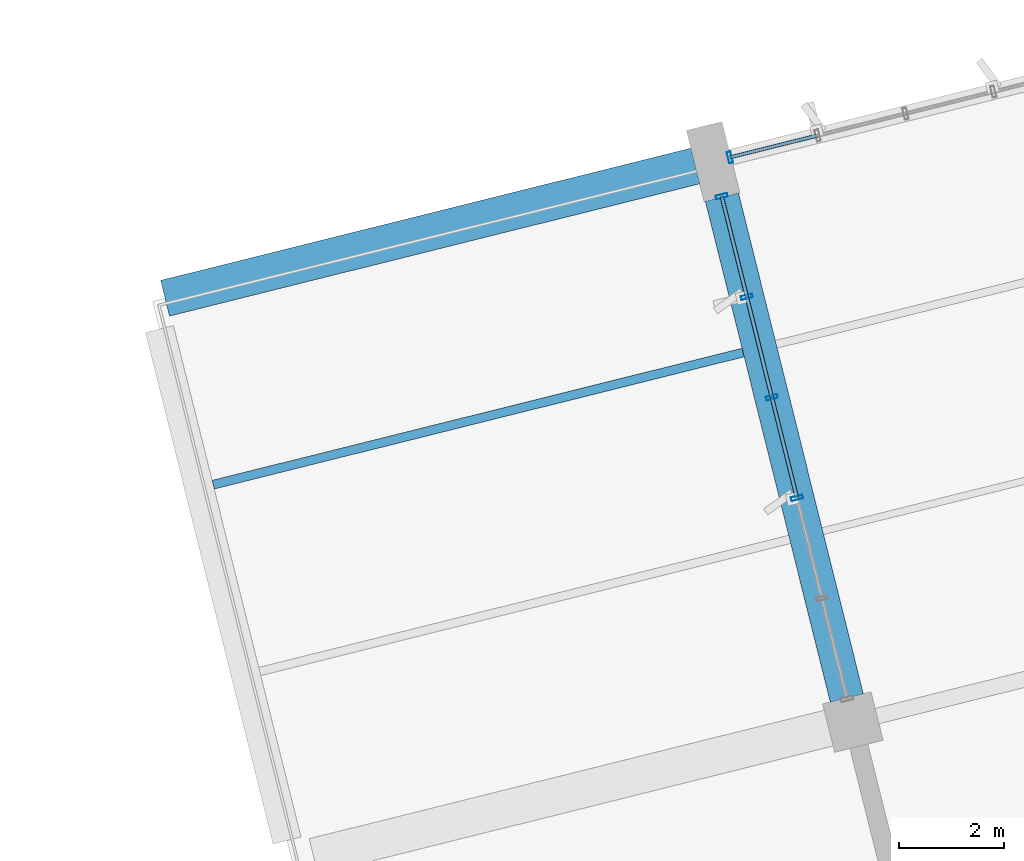
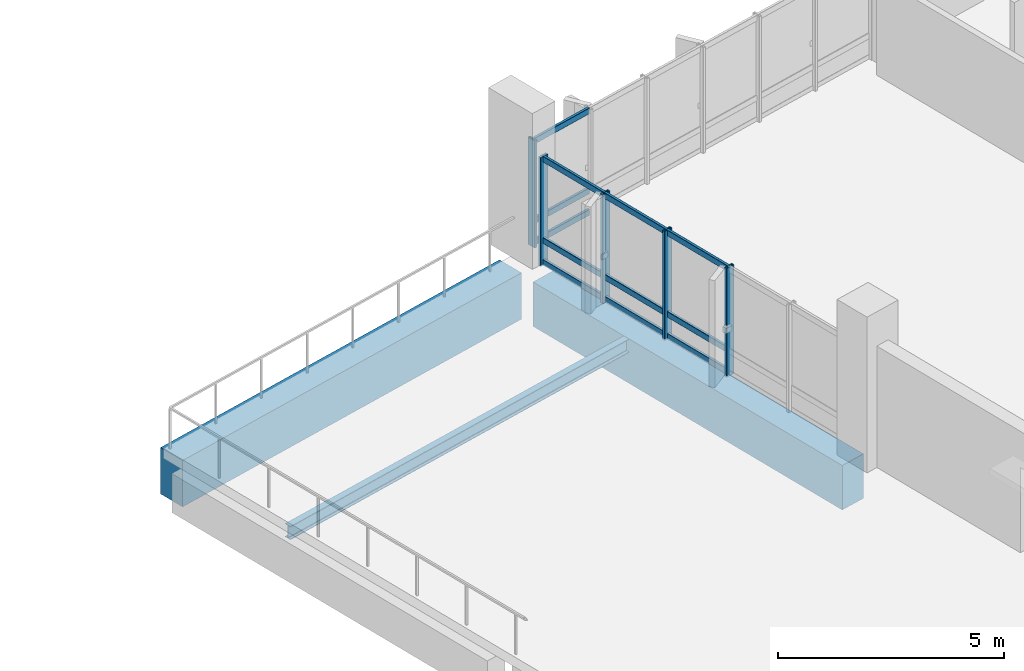
# One storey, part 44 of 75: 17 members, 3 beams, 2 elements without a shape of their own.
"""IFC4 building model written with IfcOpenShell, lengths in metres."""

from ifc_helpers import new_model, si_unit, direction, frame, origin, origin_2d, place, context, subcontext, project, spatial, rectangle, hollow_rectangle, i_section, extrude, material, layer, layer_set, material_profile, profile_set, type_object, element, aggregate, save


model = new_model("IFC4")

# Units and contexts
model_context = context("Model", 3, precision=1e-05, world=origin(), true_north=direction((0.0, 1.0)))
body_context = subcontext(model_context, "Body", "Model", "MODEL_VIEW")
ifc_project = project(units=[si_unit("LENGTHUNIT", "METRE"), si_unit("AREAUNIT", "SQUARE_METRE"), si_unit("VOLUMEUNIT", "CUBIC_METRE"), si_unit("PLANEANGLEUNIT", "RADIAN"), si_unit("MASSUNIT", "GRAM", prefix="KILO")], contexts=[model_context])

# Site, building, storey
site_placement = place(None, origin())
site = spatial("IfcSite", under=ifc_project, at=site_placement, CompositionType="ELEMENT")
building_placement = place(site_placement, origin())
building = spatial("IfcBuilding", under=site, at=building_placement, Name="Khorjan Park Terminus", CompositionType="ELEMENT")
storey_placement = place(building_placement, frame((0.0, 0.0, 16.2)))
storey = spatial("IfcBuildingStorey", under=building, at=storey_placement, Name="L03", CompositionType="ELEMENT", Elevation=16.2)

# Beams
ifc_material_1 = material(Name="Concrete C40/50", Category="concrete")
ifc_material_profile_1 = material_profile(ifc_material_1, rectangle(XDim=0.65, YDim=1.2, at=origin_2d()), Name="RC 650x1200")
ifc_profile_set_1 = profile_set([ifc_material_profile_1], Name="Concrete C40/50")
beam_type_1 = type_object("IfcBeamType", Name="BM-RC650x1200", PredefinedType="BEAM", material=ifc_profile_set_1)
beam_1_placement = place(storey_placement, frame((184.6004, 63.8057, -0.95), z_axis=(-0.241930300515, 0.970293630657, 0.0), x_axis=(-0.970293630657, -0.241930300515, 0.0)))
element("IfcBeam", 1, at=beam_1_placement, inside=storey, type_object=beam_type_1, Name="Primary skew-grid floor girder GB-12 (L03)", PredefinedType="BEAM", context=body_context, shape_type="SweptSolid", body=[
    extrude(rectangle(XDim=0.65, YDim=1.2, at=origin_2d()), origin(), (0.0, 0.0, 1.0), 9.8351),
])
ifc_material_profile_2 = material_profile(ifc_material_1, rectangle(XDim=0.7, YDim=1.25, at=origin_2d()), Name="RC 700x1250")
ifc_profile_set_2 = profile_set([ifc_material_profile_2], Name="Concrete C40/50")
beam_type_2 = type_object("IfcBeamType", Name="BM-RC700x1250", PredefinedType="BEAM", material=ifc_profile_set_2)
beam_2_placement = place(storey_placement, frame((171.6174, 71.4211, -0.895), z_axis=(0.970296003428, 0.241920784001, 0.0), x_axis=(-0.241920784001, 0.970296003428, 0.0)))
element("IfcBeam", 2, at=beam_2_placement, inside=storey, type_object=beam_type_2, Name="Primary skew-grid floor girder GB-125 (L03)", PredefinedType="BEAM", context=body_context, shape_type="SweptSolid", body=[
    extrude(rectangle(XDim=0.7, YDim=1.25, at=origin_2d()), origin(), (0.0, 0.0, 1.0), 10.41),
])
ifc_material_2 = material(Name="Steel S355", Category="steel")
ifc_material_profile_3 = material_profile(ifc_material_2, i_section(OverallWidth=0.17, OverallDepth=0.36, WebThickness=0.008, FlangeThickness=0.0127, FilletRadius=0.018, at=origin_2d()), Name="IPE 360")
ifc_profile_set_3 = profile_set([ifc_material_profile_3], Name="Steel S355")
beam_type_3 = type_object("IfcBeamType", Name="JS-IPE360", PredefinedType="JOIST", material=ifc_profile_set_3)
beam_3_placement = place(storey_placement, frame((172.5335, 67.8705, -0.53), z_axis=(0.970295586552, 0.241922456002, 0.0), x_axis=(-0.241922456002, 0.970295586552, 0.0)))
element("IfcBeam", 3, at=beam_3_placement, inside=storey, type_object=beam_type_3, Name="Secondary composite floor joist SJ-36 (L03)", PredefinedType="JOIST", context=body_context, shape_type="SweptSolid", body=[
    extrude(i_section(OverallWidth=0.17, OverallDepth=0.36, WebThickness=0.008, FlangeThickness=0.0127, FilletRadius=0.018, at=origin_2d()), origin(), (0.0, 0.0, 1.0), 10.4),
])

# Curtain wall, member
ifc_material_3 = material(Name="Anodized Bronze Aluminium", Category="aluminium")
ifc_layer = layer(ifc_material_3, 0.22)
ifc_layer_set = layer_set([ifc_layer], Name="Anodized Bronze Aluminium")
curtain_wall_type = type_object("IfcCurtainWallType", Name="CW-OPS-B", PredefinedType="NOTDEFINED", material=ifc_layer_set)
curtain_wall_1_placement = place(storey_placement, origin())
curtain_wall_1 = element("IfcCurtainWall", 4, at=curtain_wall_1_placement, inside=storey, type_object=curtain_wall_type, Name="Unitized curtain wall CW-B (CW-V5-N-L03-B03)", PredefinedType="NOTDEFINED")
ifc_material_profile_4 = material_profile(ifc_material_3, hollow_rectangle(XDim=0.075, YDim=0.225, WallThickness=0.005, InnerFilletRadius=0.005, OuterFilletRadius=0.01, at=origin_2d()), Name="ALM 75x225x5")
ifc_profile_set_4 = profile_set([ifc_material_profile_4], Name="Anodized Bronze Aluminium")
member_type_1 = type_object("IfcMemberType", Name="ML-ALM-225", PredefinedType="MULLION", material=ifc_profile_set_4)
member_1_placement = place(storey_placement, frame((182.3732, 74.1028, -0.035), z_axis=(0.0, 0.0, 1.0), x_axis=(-0.970295910648, -0.241921156122, 0.0)))
member_1 = element("IfcMember", 5, at=member_1_placement, type_object=member_type_1, Name="Curtain-wall mullion ML-22 (CW-V5-N-L03-B03-6)", PredefinedType="MULLION", context=body_context, shape_type="SweptSolid", body=[
    extrude(hollow_rectangle(XDim=0.075, YDim=0.225, WallThickness=0.005, InnerFilletRadius=0.005, OuterFilletRadius=0.01, at=origin_2d()), origin(), (0.0, 0.0, 1.0), 2.885),
])

# Curtain wall, members
curtain_wall_2_placement = place(storey_placement, origin())
curtain_wall_2 = element("IfcCurtainWall", 6, at=curtain_wall_2_placement, inside=storey, type_object=curtain_wall_type, Name="Unitized curtain wall CW-B (CW-V5-NW1-L03-B01)", PredefinedType="NOTDEFINED")
member_2_placement = place(storey_placement, frame((182.2174, 73.3632, -0.035), z_axis=(0.0, 0.0, 1.0), x_axis=(0.241922578481, -0.970295556014, 0.0)))
member_2 = element("IfcMember", 7, at=member_2_placement, type_object=member_type_1, Name="Curtain-wall mullion ML-22 (CW-V5-NW1-L03-B01-0)", PredefinedType="MULLION", context=body_context, shape_type="SweptSolid", body=[
    extrude(hollow_rectangle(XDim=0.075, YDim=0.225, WallThickness=0.005, InnerFilletRadius=0.005, OuterFilletRadius=0.01, at=origin_2d()), origin(), (0.0, 0.0, 1.0), 2.935),
])
member_3_placement = place(storey_placement, frame((182.6947, 71.4489, -0.035), z_axis=(0.0, 0.0, 1.0), x_axis=(0.241922578481, -0.970295556014, 0.0)))
member_3 = element("IfcMember", 8, at=member_3_placement, type_object=member_type_1, Name="Curtain-wall mullion ML-22 (CW-V5-NW1-L03-B01-1)", PredefinedType="MULLION", context=body_context, shape_type="SweptSolid", body=[
    extrude(hollow_rectangle(XDim=0.075, YDim=0.225, WallThickness=0.005, InnerFilletRadius=0.005, OuterFilletRadius=0.01, at=origin_2d()), origin(), (0.0, 0.0, 1.0), 2.935),
])
member_4_placement = place(storey_placement, frame((183.172, 69.5345, -0.035), z_axis=(0.0, 0.0, 1.0), x_axis=(0.241922578481, -0.970295556014, 0.0)))
member_4 = element("IfcMember", 9, at=member_4_placement, type_object=member_type_1, Name="Curtain-wall mullion ML-22 (CW-V5-NW1-L03-B01-2)", PredefinedType="MULLION", context=body_context, shape_type="SweptSolid", body=[
    extrude(hollow_rectangle(XDim=0.075, YDim=0.225, WallThickness=0.005, InnerFilletRadius=0.005, OuterFilletRadius=0.01, at=origin_2d()), origin(), (0.0, 0.0, 1.0), 2.935),
])
member_5_placement = place(storey_placement, frame((183.6493, 67.6202, -0.035), z_axis=(0.0, 0.0, 1.0), x_axis=(0.241922578481, -0.970295556014, 0.0)))
member_5 = element("IfcMember", 10, at=member_5_placement, type_object=member_type_1, Name="Curtain-wall mullion ML-22 (CW-V5-NW1-L03-B01-3)", PredefinedType="MULLION", context=body_context, shape_type="SweptSolid", body=[
    extrude(hollow_rectangle(XDim=0.075, YDim=0.225, WallThickness=0.005, InnerFilletRadius=0.005, OuterFilletRadius=0.01, at=origin_2d()), origin(), (0.0, 0.0, 1.0), 2.935),
])

# Member
ifc_material_profile_5 = material_profile(ifc_material_3, hollow_rectangle(XDim=0.07, YDim=0.16, WallThickness=0.004, InnerFilletRadius=0.004, OuterFilletRadius=0.008, at=origin_2d()), Name="ALT 70x160x4")
ifc_profile_set_5 = profile_set([ifc_material_profile_5], Name="Anodized Bronze Aluminium")
member_type_2 = type_object("IfcMemberType", Name="TR-ALT-160", PredefinedType="USERDEFINED", material=ifc_profile_set_5)
member_6_placement = place(storey_placement, frame((184.0453, 74.5197, 0.04), z_axis=(-0.970295910649, -0.241921156121, 0.0), x_axis=(0.241921156121, -0.970295910649, 0.0)))
member_6 = element("IfcMember", 11, at=member_6_placement, type_object=member_type_2, Name="Curtain-wall transom TR-16 (CW-V5-N-L03-B03-5-1)", ObjectType="TRANSOM", PredefinedType="USERDEFINED", context=body_context, shape_type="SweptSolid", body=[
    extrude(hollow_rectangle(XDim=0.07, YDim=0.16, WallThickness=0.004, InnerFilletRadius=0.004, OuterFilletRadius=0.008, at=origin_2d()), origin(), (0.0, 0.0, 1.0), 1.7233),
])

member_7_placement = place(storey_placement, frame((184.0453, 74.5197, 0.619), z_axis=(-0.970295910649, -0.241921156121, 0.0), x_axis=(0.241921156121, -0.970295910649, 0.0)))
member_7 = element("IfcMember", 12, at=member_7_placement, type_object=member_type_2, Name="Curtain-wall transom TR-16 (CW-V5-N-L03-B03-5-2)", ObjectType="TRANSOM", PredefinedType="USERDEFINED", context=body_context, shape_type="SweptSolid", body=[
    extrude(hollow_rectangle(XDim=0.07, YDim=0.16, WallThickness=0.004, InnerFilletRadius=0.004, OuterFilletRadius=0.008, at=origin_2d()), origin(), (0.0, 0.0, 1.0), 1.7233),
])

member_8_placement = place(storey_placement, frame((184.0453, 74.5197, 2.775), z_axis=(-0.970295910649, -0.241921156121, 0.0), x_axis=(0.241921156121, -0.970295910649, 0.0)))
member_8 = element("IfcMember", 13, at=member_8_placement, type_object=member_type_2, Name="Curtain-wall transom TR-16 (CW-V5-N-L03-B03-5-3)", ObjectType="TRANSOM", PredefinedType="USERDEFINED", context=body_context, shape_type="SweptSolid", body=[
    extrude(hollow_rectangle(XDim=0.07, YDim=0.16, WallThickness=0.004, InnerFilletRadius=0.004, OuterFilletRadius=0.008, at=origin_2d()), origin(), (0.0, 0.0, 1.0), 1.7233),
])

aggregate(curtain_wall_1, [member_1, member_6, member_7, member_8])

member_9_placement = place(storey_placement, frame((182.2174, 73.3632, 0.04), z_axis=(0.241927337676, -0.970294369398, 0.0), x_axis=(0.970294369398, 0.241927337676, 0.0)))
member_9 = element("IfcMember", 14, at=member_9_placement, type_object=member_type_2, Name="Curtain-wall transom TR-16 (CW-V5-NW1-L03-B01-0-1)", ObjectType="TRANSOM", PredefinedType="USERDEFINED", context=body_context, shape_type="SweptSolid", body=[
    extrude(hollow_rectangle(XDim=0.07, YDim=0.16, WallThickness=0.004, InnerFilletRadius=0.004, OuterFilletRadius=0.008, at=origin_2d()), origin(), (0.0, 0.0, 1.0), 1.9729),
])

member_10_placement = place(storey_placement, frame((182.2174, 73.3632, 0.63), z_axis=(0.241927337676, -0.970294369398, 0.0), x_axis=(0.970294369398, 0.241927337676, 0.0)))
member_10 = element("IfcMember", 15, at=member_10_placement, type_object=member_type_2, Name="Curtain-wall transom TR-16 (CW-V5-NW1-L03-B01-0-2)", ObjectType="TRANSOM", PredefinedType="USERDEFINED", context=body_context, shape_type="SweptSolid", body=[
    extrude(hollow_rectangle(XDim=0.07, YDim=0.16, WallThickness=0.004, InnerFilletRadius=0.004, OuterFilletRadius=0.008, at=origin_2d()), origin(), (0.0, 0.0, 1.0), 1.9729),
])

member_11_placement = place(storey_placement, frame((182.2174, 73.3632, 2.825), z_axis=(0.241927337676, -0.970294369398, 0.0), x_axis=(0.970294369398, 0.241927337676, 0.0)))
member_11 = element("IfcMember", 16, at=member_11_placement, type_object=member_type_2, Name="Curtain-wall transom TR-16 (CW-V5-NW1-L03-B01-0-3)", ObjectType="TRANSOM", PredefinedType="USERDEFINED", context=body_context, shape_type="SweptSolid", body=[
    extrude(hollow_rectangle(XDim=0.07, YDim=0.16, WallThickness=0.004, InnerFilletRadius=0.004, OuterFilletRadius=0.008, at=origin_2d()), origin(), (0.0, 0.0, 1.0), 1.9729),
])

member_12_placement = place(storey_placement, frame((182.6947, 71.4489, 0.04), z_axis=(0.241915440024, -0.970297335809, 0.0), x_axis=(0.970297335809, 0.241915440024, 0.0)))
member_12 = element("IfcMember", 17, at=member_12_placement, type_object=member_type_2, Name="Curtain-wall transom TR-16 (CW-V5-NW1-L03-B01-1-1)", ObjectType="TRANSOM", PredefinedType="USERDEFINED", context=body_context, shape_type="SweptSolid", body=[
    extrude(hollow_rectangle(XDim=0.07, YDim=0.16, WallThickness=0.004, InnerFilletRadius=0.004, OuterFilletRadius=0.008, at=origin_2d()), origin(), (0.0, 0.0, 1.0), 1.973),
])

member_13_placement = place(storey_placement, frame((182.6947, 71.4489, 0.63), z_axis=(0.241915440024, -0.970297335809, 0.0), x_axis=(0.970297335809, 0.241915440024, 0.0)))
member_13 = element("IfcMember", 18, at=member_13_placement, type_object=member_type_2, Name="Curtain-wall transom TR-16 (CW-V5-NW1-L03-B01-1-2)", ObjectType="TRANSOM", PredefinedType="USERDEFINED", context=body_context, shape_type="SweptSolid", body=[
    extrude(hollow_rectangle(XDim=0.07, YDim=0.16, WallThickness=0.004, InnerFilletRadius=0.004, OuterFilletRadius=0.008, at=origin_2d()), origin(), (0.0, 0.0, 1.0), 1.973),
])

member_14_placement = place(storey_placement, frame((182.6947, 71.4489, 2.825), z_axis=(0.241915440024, -0.970297335809, 0.0), x_axis=(0.970297335809, 0.241915440024, 0.0)))
member_14 = element("IfcMember", 19, at=member_14_placement, type_object=member_type_2, Name="Curtain-wall transom TR-16 (CW-V5-NW1-L03-B01-1-3)", ObjectType="TRANSOM", PredefinedType="USERDEFINED", context=body_context, shape_type="SweptSolid", body=[
    extrude(hollow_rectangle(XDim=0.07, YDim=0.16, WallThickness=0.004, InnerFilletRadius=0.004, OuterFilletRadius=0.008, at=origin_2d()), origin(), (0.0, 0.0, 1.0), 1.973),
])

member_15_placement = place(storey_placement, frame((183.172, 69.5345, 0.04), z_axis=(0.241927337676, -0.970294369398, 0.0), x_axis=(0.970294369398, 0.241927337676, 0.0)))
member_15 = element("IfcMember", 20, at=member_15_placement, type_object=member_type_2, Name="Curtain-wall transom TR-16 (CW-V5-NW1-L03-B01-2-1)", ObjectType="TRANSOM", PredefinedType="USERDEFINED", context=body_context, shape_type="SweptSolid", body=[
    extrude(hollow_rectangle(XDim=0.07, YDim=0.16, WallThickness=0.004, InnerFilletRadius=0.004, OuterFilletRadius=0.008, at=origin_2d()), origin(), (0.0, 0.0, 1.0), 1.9729),
])

member_16_placement = place(storey_placement, frame((183.172, 69.5345, 0.63), z_axis=(0.241927337676, -0.970294369398, 0.0), x_axis=(0.970294369398, 0.241927337676, 0.0)))
member_16 = element("IfcMember", 21, at=member_16_placement, type_object=member_type_2, Name="Curtain-wall transom TR-16 (CW-V5-NW1-L03-B01-2-2)", ObjectType="TRANSOM", PredefinedType="USERDEFINED", context=body_context, shape_type="SweptSolid", body=[
    extrude(hollow_rectangle(XDim=0.07, YDim=0.16, WallThickness=0.004, InnerFilletRadius=0.004, OuterFilletRadius=0.008, at=origin_2d()), origin(), (0.0, 0.0, 1.0), 1.9729),
])

member_17_placement = place(storey_placement, frame((183.172, 69.5345, 2.825), z_axis=(0.241927337676, -0.970294369398, 0.0), x_axis=(0.970294369398, 0.241927337676, 0.0)))
member_17 = element("IfcMember", 22, at=member_17_placement, type_object=member_type_2, Name="Curtain-wall transom TR-16 (CW-V5-NW1-L03-B01-2-3)", ObjectType="TRANSOM", PredefinedType="USERDEFINED", context=body_context, shape_type="SweptSolid", body=[
    extrude(hollow_rectangle(XDim=0.07, YDim=0.16, WallThickness=0.004, InnerFilletRadius=0.004, OuterFilletRadius=0.008, at=origin_2d()), origin(), (0.0, 0.0, 1.0), 1.9729),
])

aggregate(curtain_wall_2, [member_2, member_3, member_4, member_5, member_9, member_10, member_11, member_12, member_13, member_14, member_15, member_16, member_17])

save(model, "model.ifc")
